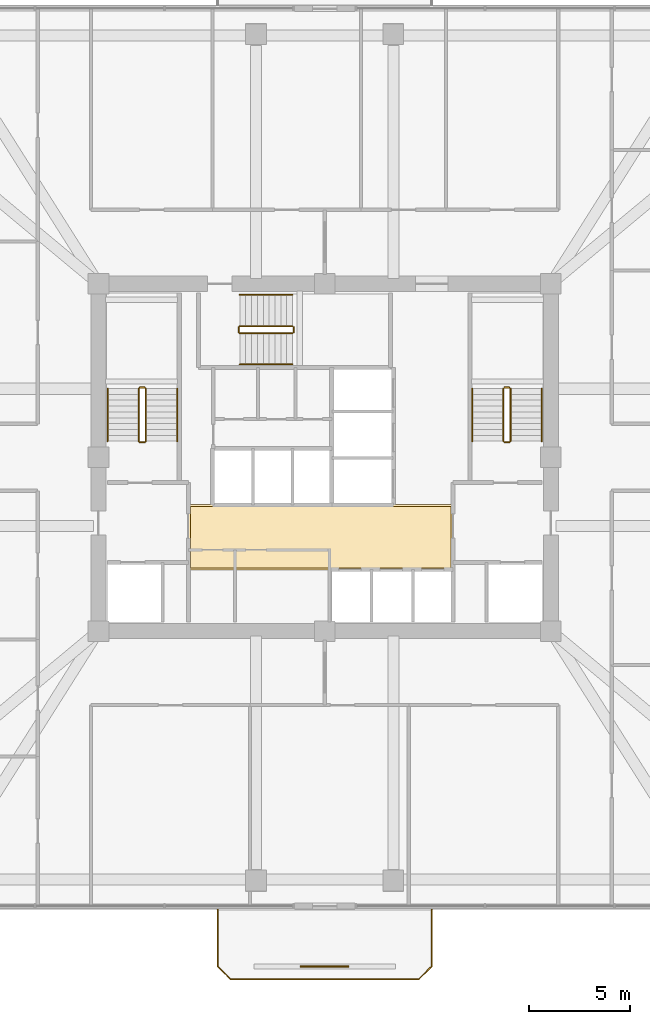
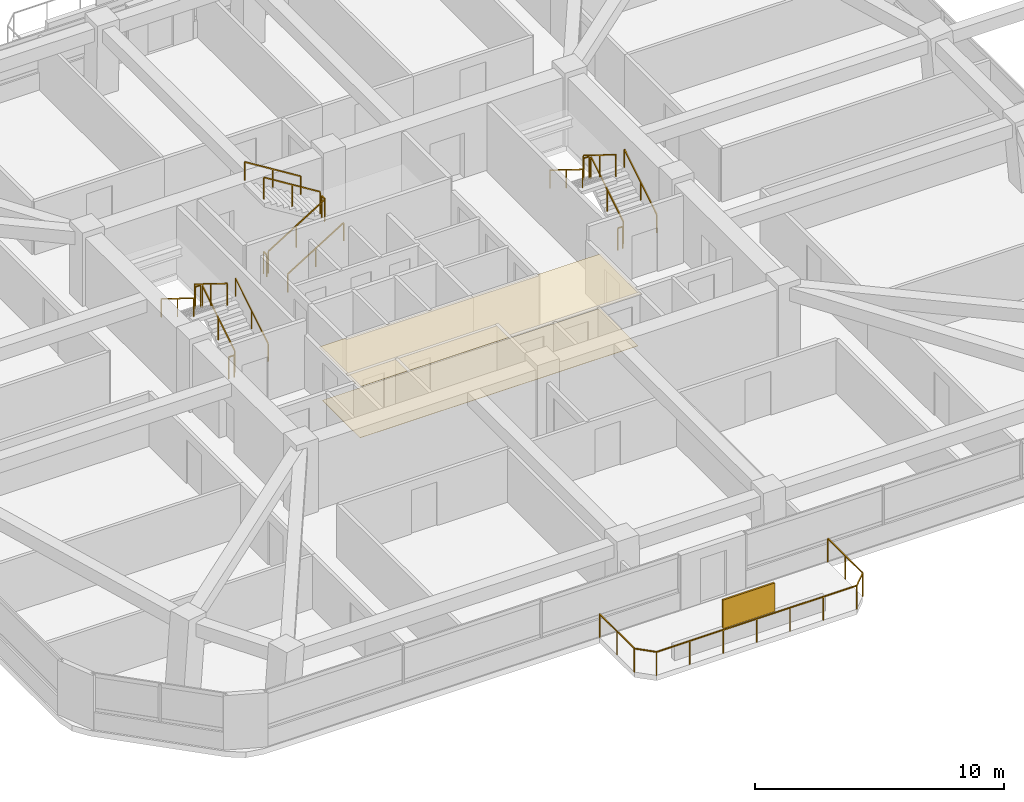
# One storey, part 12 of 13: 19 railings, 2 coverings, 1 shading device.
"""IFC4 building model written with IfcOpenShell, lengths in metres."""

from ifc_helpers import new_model, si_unit, derived_unit, direction, frame, origin, origin_2d, place, context, subcontext, project, spatial, polyline, rectangle, outline, extrude, material, layer, layer_set, type_object, element, save


model = new_model("IFC4")

# Units and contexts
model_context = context("Model", 3, precision=1e-05, world=origin(), true_north=direction((0.0, 1.0)))
body_context = subcontext(model_context, "Body", "Model", "MODEL_VIEW")
ifc_project = project(units=[si_unit("LENGTHUNIT", "METRE"), si_unit("AREAUNIT", "SQUARE_METRE"), si_unit("VOLUMEUNIT", "CUBIC_METRE"), si_unit("PLANEANGLEUNIT", "RADIAN"), si_unit("MASSUNIT", "GRAM", prefix="KILO"), derived_unit("THERMALTRANSMITTANCEUNIT", [(si_unit("POWERUNIT", "WATT"), 1), (si_unit("LENGTHUNIT", "METRE"), -2), (si_unit("THERMODYNAMICTEMPERATUREUNIT", "KELVIN"), -1)])], contexts=[model_context])

# Site, building, storey
site_placement = place(None, origin())
site = spatial("IfcSite", under=ifc_project, at=site_placement, CompositionType="ELEMENT")
building_placement = place(site_placement, origin())
building = spatial("IfcBuilding", under=site, at=building_placement, Name="Koralith Skygarden Medical Center", CompositionType="ELEMENT")
storey_placement = place(building_placement, frame((0.0, 0.0, 88.3798828125)))
storey = spatial("IfcBuildingStorey", under=building, at=storey_placement, Name="L22", CompositionType="ELEMENT", Elevation=88.3798828125)

# Covering
ifc_material_1 = material(Name="Acoustic Mineral Tile")
ifc_layer_1 = layer(ifc_material_1, 0.02001953125)
ifc_layer_set_1 = layer_set([ifc_layer_1], Name="Acoustic Mineral Tile")
covering_type_1 = type_object("IfcCoveringType", Name="Acoustic Hygienic Mineral Ceiling 20", PredefinedType="CEILING", material=ifc_layer_set_1)
covering_1_placement = place(storey_placement, frame((0.0, 0.0, 2.585205078125)))
element("IfcCovering", 1, at=covering_1_placement, inside=storey, type_object=covering_type_1, Name="L22 Core Lobby Acoustic Ceiling", PredefinedType="CEILING", context=body_context, shape_type="SweptSolid", body=[
    extrude(outline(polyline([(30.25, 20.320068359375), (43.35009765625, 20.320068359375), (43.35009765625, 23.56005859375), (30.25, 23.56005859375), (30.25, 20.320068359375)])), origin(), (0.0, 0.0, 1.0), 0.02001953125),
])

# Railing
ifc_material_2 = material(Name="Steel ASTM A500 Grade C", Category="steel")
railing_type_1 = type_object("IfcRailingType", Name="Outdoor Terrace & Balcony Safety Guardrail 1180", PredefinedType="GUARDRAIL", material=ifc_material_2)
railing_1_placement = place(storey_placement, frame((31.699951171875, 3.5, 0.0)))
element("IfcRailing", 2, at=railing_1_placement, inside=storey, type_object=railing_type_1, Name="L22 S Balcony Perimeter Guardrail", PredefinedType="GUARDRAIL", context=body_context, shape_type="SweptSolid", body=[
    extrude(rectangle(XDim=0.050048828125, YDim=0.050048828125, at=origin_2d()), frame((0.0, -0.001953125, 1.15478515625), z_axis=(0.0, -1.0, 0.0), x_axis=(1.0, 0.0, 0.0)), (0.0, 0.0, 1.0), 2.796142578125),
    extrude(rectangle(XDim=0.050048828125, YDim=0.050048828125, at=origin_2d()), frame((0.00146484375, -2.801513671875, 1.15478515625), z_axis=(0.707239558722, -0.706973978714, 0.0), x_axis=(0.706973978714, 0.707239558722, 0.0)), (0.0, 0.0, 1.0), 0.915283203125),
    extrude(rectangle(XDim=0.050048828125, YDim=0.050048828125, at=origin_2d()), frame((0.652099609375, -3.449951171875, 1.15478515625), z_axis=(1.0, 0.0, 0.0), x_axis=(0.0, 1.0, 0.0)), (0.0, 0.0, 1.0), 9.2958984375),
    extrude(rectangle(XDim=0.050048828125, YDim=0.050048828125, at=origin_2d()), frame((9.951416015625, -3.448486328125, 1.15478515625), z_axis=(0.707239558722, 0.706973978714, 0.0), x_axis=(-0.706973978714, 0.707239558722, 0.0)), (0.0, 0.0, 1.0), 0.915283203125),
    extrude(rectangle(XDim=0.050048828125, YDim=0.050048828125, at=origin_2d()), frame((10.60009765625, -2.798095703125, 1.15478515625), z_axis=(0.0, 1.0, 0.0), x_axis=(-1.0, 0.0, 0.0)), (0.0, 0.0, 1.0), 2.796142578125),
    extrude(rectangle(XDim=0.0419921875, YDim=0.0419921875, at=origin_2d()), origin(), (0.0, 0.0, 1.0), 1.1279296875),
    extrude(rectangle(XDim=0.0419921875, YDim=0.0419921875, at=origin_2d()), frame((0.0, -1.39990234375, 0.0)), (0.0, 0.0, 1.0), 1.1279296875),
    extrude(rectangle(XDim=0.0419921875, YDim=0.0419921875, at=origin_2d()), frame((0.0, -2.800048828125, 0.0)), (0.0, 0.0, 1.0), 1.1279296875),
    extrude(rectangle(XDim=0.0419921875, YDim=0.0419921875, at=origin_2d()), frame((0.650146484375, -3.449951171875, 0.0)), (0.0, 0.0, 1.0), 1.1279296875),
    extrude(rectangle(XDim=0.0419921875, YDim=0.0419921875, at=origin_2d()), frame((2.2001953125, -3.449951171875, 0.0)), (0.0, 0.0, 1.0), 1.1279296875),
    extrude(rectangle(XDim=0.0419921875, YDim=0.0419921875, at=origin_2d()), frame((3.75, -3.449951171875, 0.0)), (0.0, 0.0, 1.0), 1.1279296875),
    extrude(rectangle(XDim=0.0419921875, YDim=0.0419921875, at=origin_2d()), frame((5.300048828125, -3.449951171875, 0.0)), (0.0, 0.0, 1.0), 1.1279296875),
    extrude(rectangle(XDim=0.0419921875, YDim=0.0419921875, at=origin_2d()), frame((6.85009765625, -3.449951171875, 0.0)), (0.0, 0.0, 1.0), 1.1279296875),
    extrude(rectangle(XDim=0.0419921875, YDim=0.0419921875, at=origin_2d()), frame((8.39990234375, -3.449951171875, 0.0)), (0.0, 0.0, 1.0), 1.1279296875),
    extrude(rectangle(XDim=0.0419921875, YDim=0.0419921875, at=origin_2d()), frame((9.949951171875, -3.449951171875, 0.0)), (0.0, 0.0, 1.0), 1.1279296875),
    extrude(rectangle(XDim=0.0419921875, YDim=0.0419921875, at=origin_2d()), frame((10.60009765625, -2.800048828125, 0.0)), (0.0, 0.0, 1.0), 1.1279296875),
    extrude(rectangle(XDim=0.0419921875, YDim=0.0419921875, at=origin_2d()), frame((10.60009765625, -1.39990234375, 0.0)), (0.0, 0.0, 1.0), 1.1279296875),
    extrude(rectangle(XDim=0.0419921875, YDim=0.0419921875, at=origin_2d()), frame((10.60009765625, 0.0, 0.0)), (0.0, 0.0, 1.0), 1.1279296875),
])

# Shading device
ifc_material_3 = material(Name="Aluminium 6063-T6", Category="aluminium")
ifc_layer_2 = layer(ifc_material_3, 0.080078125)
ifc_layer_set_2 = layer_set([ifc_layer_2], Name="Aluminium 6063-T6")
shading_device_type = type_object("IfcShadingDeviceType", Name="Perforated Biophilic Balcony Trellis Screen", PredefinedType="USERDEFINED", material=ifc_layer_set_2)
shading_device_placement = place(storey_placement, frame((37.0, 0.699951171875, 0.72021484375), z_axis=(0.0, 0.0, 1.0), x_axis=(1.0, 0.0, 0.0)))
element("IfcShadingDevice", 3, at=shading_device_placement, inside=storey, type_object=shading_device_type, Name="L22 S Biophilic Balcony Trellis Screen", ObjectType="HURRICANE SCREEN", PredefinedType="USERDEFINED", context=body_context, shape_type="SweptSolid", body=[
    extrude(rectangle(XDim=2.39990234375, YDim=0.080078125, at=origin_2d()), origin(), (0.0, 0.0, 1.0), 1.39990234375),
])

# Covering
ifc_material_4 = material(Name="Medical Terrazzo Flooring")
ifc_layer_3 = layer(ifc_material_4, 0.014892578125)
ifc_layer_set_3 = layer_set([ifc_layer_3], Name="Medical Terrazzo Flooring")
covering_type_2 = type_object("IfcCoveringType", Name="Seamless Antimicrobial Terrazzo Flooring 15", PredefinedType="FLOORING", material=ifc_layer_set_3)
covering_2_placement = place(storey_placement, origin())
element("IfcCovering", 4, at=covering_2_placement, inside=storey, type_object=covering_type_2, Name="L22 Core Lobby Terrazzo Flooring", PredefinedType="FLOORING", context=body_context, shape_type="SweptSolid", body=[
    extrude(outline(polyline([(30.35009765625, 20.419921875), (43.25, 20.419921875), (43.25, 23.4599609375), (30.35009765625, 23.4599609375), (30.35009765625, 20.419921875)])), origin(), (0.0, 0.0, 1.0), 0.01513671875),
])

# Railings
railing_type_2 = type_object("IfcRailingType", Name="Stair Flight Tubular Handrail 920", PredefinedType="HANDRAIL", material=ifc_material_2)
railing_2_placement = place(storey_placement, frame((29.699951171875, 26.699951171875, 0.18017578125)))
element("IfcRailing", 5, at=railing_2_placement, inside=storey, type_object=railing_type_2, Name="L22 ST1 stair handrail 1", PredefinedType="HANDRAIL", context=body_context, shape_type="SweptSolid", body=[
    extrude(rectangle(XDim=0.050048828125, YDim=0.050048828125, at=origin_2d()), frame((0.0, 0.001708984375, 0.89599609375), z_axis=(0.0, 0.849668407637, 0.527317358963), x_axis=(-1.0, 0.0, 0.0)), (0.0, 0.0, 1.0), 3.06787109375),
    extrude(rectangle(XDim=0.0419921875, YDim=0.0419921875, at=origin_2d()), origin(), (0.0, 0.0, 1.0), 0.867919921875),
    extrude(rectangle(XDim=0.0419921875, YDim=0.0419921875, at=origin_2d()), frame((0.0, 1.30517578125, 0.81005859375)), (0.0, 0.0, 1.0), 0.867919921875),
    extrude(rectangle(XDim=0.0419921875, YDim=0.0419921875, at=origin_2d()), frame((0.0, 2.610107421875, 1.619873046875)), (0.0, 0.0, 1.0), 0.867919921875),
])
railing_3_placement = place(storey_placement, frame((26.25, 29.31005859375, 1.980224609375)))
element("IfcRailing", 6, at=railing_3_placement, inside=storey, type_object=railing_type_2, Name="L22 ST1 stair handrail 2", PredefinedType="HANDRAIL", context=body_context, shape_type="SweptSolid", body=[
    extrude(rectangle(XDim=0.050048828125, YDim=0.050048828125, at=origin_2d()), frame((0.0, -0.001708984375, 0.89599609375), z_axis=(0.0, -0.849668407637, 0.527317358963), x_axis=(1.0, 0.0, 0.0)), (0.0, 0.0, 1.0), 3.06787109375),
    extrude(rectangle(XDim=0.0419921875, YDim=0.0419921875, at=origin_2d()), origin(), (0.0, 0.0, 1.0), 0.867919921875),
    extrude(rectangle(XDim=0.0419921875, YDim=0.0419921875, at=origin_2d()), frame((0.0, -1.30517578125, 0.81005859375)), (0.0, 0.0, 1.0), 0.867919921875),
    extrude(rectangle(XDim=0.0419921875, YDim=0.0419921875, at=origin_2d()), frame((0.0, -2.610107421875, 1.619873046875)), (0.0, 0.0, 1.0), 0.867919921875),
])
railing_4_placement = place(storey_placement, frame((47.75, 26.699951171875, 0.18017578125)))
element("IfcRailing", 7, at=railing_4_placement, inside=storey, type_object=railing_type_2, Name="L22 ST2 stair handrail 1", PredefinedType="HANDRAIL", context=body_context, shape_type="SweptSolid", body=[
    extrude(rectangle(XDim=0.050048828125, YDim=0.050048828125, at=origin_2d()), frame((0.0, 0.001708984375, 0.89599609375), z_axis=(0.0, 0.849668407637, 0.527317358963), x_axis=(-1.0, 0.0, 0.0)), (0.0, 0.0, 1.0), 3.06787109375),
    extrude(rectangle(XDim=0.0419921875, YDim=0.0419921875, at=origin_2d()), origin(), (0.0, 0.0, 1.0), 0.867919921875),
    extrude(rectangle(XDim=0.0419921875, YDim=0.0419921875, at=origin_2d()), frame((0.0, 1.30517578125, 0.81005859375)), (0.0, 0.0, 1.0), 0.867919921875),
    extrude(rectangle(XDim=0.0419921875, YDim=0.0419921875, at=origin_2d()), frame((0.0, 2.610107421875, 1.619873046875)), (0.0, 0.0, 1.0), 0.867919921875),
])
railing_5_placement = place(storey_placement, frame((44.300048828125, 29.31005859375, 1.980224609375)))
element("IfcRailing", 8, at=railing_5_placement, inside=storey, type_object=railing_type_2, Name="L22 ST2 stair handrail 2", PredefinedType="HANDRAIL", context=body_context, shape_type="SweptSolid", body=[
    extrude(rectangle(XDim=0.050048828125, YDim=0.050048828125, at=origin_2d()), frame((0.0, -0.001708984375, 0.89599609375), z_axis=(0.0, -0.849668407637, 0.527317358963), x_axis=(1.0, 0.0, 0.0)), (0.0, 0.0, 1.0), 3.06787109375),
    extrude(rectangle(XDim=0.0419921875, YDim=0.0419921875, at=origin_2d()), origin(), (0.0, 0.0, 1.0), 0.867919921875),
    extrude(rectangle(XDim=0.0419921875, YDim=0.0419921875, at=origin_2d()), frame((0.0, -1.30517578125, 0.81005859375)), (0.0, 0.0, 1.0), 0.867919921875),
    extrude(rectangle(XDim=0.0419921875, YDim=0.0419921875, at=origin_2d()), frame((0.0, -2.610107421875, 1.619873046875)), (0.0, 0.0, 1.0), 0.867919921875),
])
railing_6_placement = place(storey_placement, frame((32.800048828125, 30.5, 0.18017578125)))
element("IfcRailing", 9, at=railing_6_placement, inside=storey, type_object=railing_type_2, Name="L22 ST3 stair handrail 1", PredefinedType="HANDRAIL", context=body_context, shape_type="SweptSolid", body=[
    extrude(rectangle(XDim=0.050048828125, YDim=0.050048828125, at=origin_2d()), frame((0.001708984375, 0.0, 0.89599609375), z_axis=(0.849646306263, 0.0, 0.527352969322), x_axis=(0.0, 1.0, 0.0)), (0.0, 0.0, 1.0), 3.067626953125),
    extrude(rectangle(XDim=0.0419921875, YDim=0.0419921875, at=origin_2d()), origin(), (0.0, 0.0, 1.0), 0.867919921875),
    extrude(rectangle(XDim=0.0419921875, YDim=0.0419921875, at=origin_2d()), frame((1.304931640625, 0.0, 0.81005859375)), (0.0, 0.0, 1.0), 0.867919921875),
    extrude(rectangle(XDim=0.0419921875, YDim=0.0419921875, at=origin_2d()), frame((2.60986328125, 0.0, 1.619873046875)), (0.0, 0.0, 1.0), 0.867919921875),
])
railing_7_placement = place(storey_placement, frame((35.409912109375, 33.949951171875, 1.980224609375)))
element("IfcRailing", 10, at=railing_7_placement, inside=storey, type_object=railing_type_2, Name="L22 ST3 stair handrail 2", PredefinedType="HANDRAIL", context=body_context, shape_type="SweptSolid", body=[
    extrude(rectangle(XDim=0.050048828125, YDim=0.050048828125, at=origin_2d()), frame((-0.001708984375, 0.0, 0.89599609375), z_axis=(-0.849646306263, 0.0, 0.527352969322), x_axis=(0.0, -1.0, 0.0)), (0.0, 0.0, 1.0), 3.067626953125),
    extrude(rectangle(XDim=0.0419921875, YDim=0.0419921875, at=origin_2d()), origin(), (0.0, 0.0, 1.0), 0.867919921875),
    extrude(rectangle(XDim=0.0419921875, YDim=0.0419921875, at=origin_2d()), frame((-1.304931640625, 0.0, 0.81005859375)), (0.0, 0.0, 1.0), 0.867919921875),
    extrude(rectangle(XDim=0.0419921875, YDim=0.0419921875, at=origin_2d()), frame((-2.60986328125, 0.0, 1.619873046875)), (0.0, 0.0, 1.0), 0.867919921875),
])
railing_type_3 = type_object("IfcRailingType", Name="Stair Well Safety Guardrail 1100", PredefinedType="GUARDRAIL", material=ifc_material_2)
railing_8_placement = place(storey_placement, frame((28.14990234375, 26.699951171875, 0.18017578125)))
element("IfcRailing", 11, at=railing_8_placement, inside=storey, type_object=railing_type_3, Name="L22 ST1 stair guard 1", PredefinedType="GUARDRAIL", context=body_context, shape_type="SweptSolid", body=[
    extrude(rectangle(XDim=0.050048828125, YDim=0.050048828125, at=origin_2d()), frame((0.0, 0.001708984375, 1.076171875), z_axis=(0.0, 0.849668407637, 0.527317358963), x_axis=(-1.0, 0.0, 0.0)), (0.0, 0.0, 1.0), 3.06787109375),
    extrude(rectangle(XDim=0.0419921875, YDim=0.0419921875, at=origin_2d()), origin(), (0.0, 0.0, 1.0), 1.048095703125),
    extrude(rectangle(XDim=0.0419921875, YDim=0.0419921875, at=origin_2d()), frame((0.0, 1.30517578125, 0.81005859375)), (0.0, 0.0, 1.0), 1.048095703125),
    extrude(rectangle(XDim=0.0419921875, YDim=0.0419921875, at=origin_2d()), frame((0.0, 2.610107421875, 1.619873046875)), (0.0, 0.0, 1.0), 1.048095703125),
])
railing_9_placement = place(storey_placement, frame((28.10009765625, 29.360107421875, 1.800048828125)))
element("IfcRailing", 12, at=railing_9_placement, inside=storey, type_object=railing_type_3, Name="L22 ST1 stair guard 2", PredefinedType="GUARDRAIL", context=body_context, shape_type="SweptSolid", body=[
    extrude(rectangle(XDim=0.050048828125, YDim=0.050048828125, at=origin_2d()), frame((-0.001953125, 0.0, 1.0751953125), z_axis=(-1.0, 0.0, 0.0), x_axis=(0.0, -1.0, 0.0)), (0.0, 0.0, 1.0), 0.24609375),
    extrude(rectangle(XDim=0.0419921875, YDim=0.0419921875, at=origin_2d()), origin(), (0.0, 0.0, 1.0), 1.048095703125),
    extrude(rectangle(XDim=0.0419921875, YDim=0.0419921875, at=origin_2d()), frame((-0.25, 0.0, 0.0)), (0.0, 0.0, 1.0), 1.048095703125),
])
railing_10_placement = place(storey_placement, frame((27.800048828125, 29.31005859375, 1.980224609375)))
element("IfcRailing", 13, at=railing_10_placement, inside=storey, type_object=railing_type_3, Name="L22 ST1 stair guard 3", PredefinedType="GUARDRAIL", context=body_context, shape_type="SweptSolid", body=[
    extrude(rectangle(XDim=0.050048828125, YDim=0.050048828125, at=origin_2d()), frame((0.0, -0.001708984375, 1.076171875), z_axis=(0.0, -0.849668407637, 0.527317358963), x_axis=(1.0, 0.0, 0.0)), (0.0, 0.0, 1.0), 3.06787109375),
    extrude(rectangle(XDim=0.0419921875, YDim=0.0419921875, at=origin_2d()), origin(), (0.0, 0.0, 1.0), 1.048095703125),
    extrude(rectangle(XDim=0.0419921875, YDim=0.0419921875, at=origin_2d()), frame((0.0, -1.30517578125, 0.81005859375)), (0.0, 0.0, 1.0), 1.048095703125),
    extrude(rectangle(XDim=0.0419921875, YDim=0.0419921875, at=origin_2d()), frame((0.0, -2.610107421875, 1.619873046875)), (0.0, 0.0, 1.0), 1.048095703125),
])
railing_11_placement = place(storey_placement, frame((28.10009765625, 26.64990234375, 0.0)))
element("IfcRailing", 14, at=railing_11_placement, inside=storey, type_object=railing_type_3, Name="L22 ST1 stair guard 4", PredefinedType="GUARDRAIL", context=body_context, shape_type="SweptSolid", body=[
    extrude(rectangle(XDim=0.050048828125, YDim=0.050048828125, at=origin_2d()), frame((-0.001953125, 0.0, 1.0751953125), z_axis=(-1.0, 0.0, 0.0), x_axis=(0.0, -1.0, 0.0)), (0.0, 0.0, 1.0), 0.24609375),
    extrude(rectangle(XDim=0.0419921875, YDim=0.0419921875, at=origin_2d()), origin(), (0.0, 0.0, 1.0), 1.048095703125),
    extrude(rectangle(XDim=0.0419921875, YDim=0.0419921875, at=origin_2d()), frame((-0.25, 0.0, 0.0)), (0.0, 0.0, 1.0), 1.048095703125),
])
railing_12_placement = place(storey_placement, frame((46.199951171875, 26.699951171875, 0.18017578125)))
element("IfcRailing", 15, at=railing_12_placement, inside=storey, type_object=railing_type_3, Name="L22 ST2 stair guard 1", PredefinedType="GUARDRAIL", context=body_context, shape_type="SweptSolid", body=[
    extrude(rectangle(XDim=0.050048828125, YDim=0.050048828125, at=origin_2d()), frame((0.0, 0.001708984375, 1.076171875), z_axis=(0.0, 0.849668407637, 0.527317358963), x_axis=(-1.0, 0.0, 0.0)), (0.0, 0.0, 1.0), 3.06787109375),
    extrude(rectangle(XDim=0.0419921875, YDim=0.0419921875, at=origin_2d()), origin(), (0.0, 0.0, 1.0), 1.048095703125),
    extrude(rectangle(XDim=0.0419921875, YDim=0.0419921875, at=origin_2d()), frame((0.0, 1.30517578125, 0.81005859375)), (0.0, 0.0, 1.0), 1.048095703125),
    extrude(rectangle(XDim=0.0419921875, YDim=0.0419921875, at=origin_2d()), frame((0.0, 2.610107421875, 1.619873046875)), (0.0, 0.0, 1.0), 1.048095703125),
])
railing_13_placement = place(storey_placement, frame((46.14990234375, 29.360107421875, 1.800048828125)))
element("IfcRailing", 16, at=railing_13_placement, inside=storey, type_object=railing_type_3, Name="L22 ST2 stair guard 2", PredefinedType="GUARDRAIL", context=body_context, shape_type="SweptSolid", body=[
    extrude(rectangle(XDim=0.050048828125, YDim=0.050048828125, at=origin_2d()), frame((-0.001953125, 0.0, 1.0751953125), z_axis=(-1.0, 0.0, 0.0), x_axis=(0.0, -1.0, 0.0)), (0.0, 0.0, 1.0), 0.24609375),
    extrude(rectangle(XDim=0.0419921875, YDim=0.0419921875, at=origin_2d()), origin(), (0.0, 0.0, 1.0), 1.048095703125),
    extrude(rectangle(XDim=0.0419921875, YDim=0.0419921875, at=origin_2d()), frame((-0.25, 0.0, 0.0)), (0.0, 0.0, 1.0), 1.048095703125),
])
railing_14_placement = place(storey_placement, frame((45.85009765625, 29.31005859375, 1.980224609375)))
element("IfcRailing", 17, at=railing_14_placement, inside=storey, type_object=railing_type_3, Name="L22 ST2 stair guard 3", PredefinedType="GUARDRAIL", context=body_context, shape_type="SweptSolid", body=[
    extrude(rectangle(XDim=0.050048828125, YDim=0.050048828125, at=origin_2d()), frame((0.0, -0.001708984375, 1.076171875), z_axis=(0.0, -0.849668407637, 0.527317358963), x_axis=(1.0, 0.0, 0.0)), (0.0, 0.0, 1.0), 3.06787109375),
    extrude(rectangle(XDim=0.0419921875, YDim=0.0419921875, at=origin_2d()), origin(), (0.0, 0.0, 1.0), 1.048095703125),
    extrude(rectangle(XDim=0.0419921875, YDim=0.0419921875, at=origin_2d()), frame((0.0, -1.30517578125, 0.81005859375)), (0.0, 0.0, 1.0), 1.048095703125),
    extrude(rectangle(XDim=0.0419921875, YDim=0.0419921875, at=origin_2d()), frame((0.0, -2.610107421875, 1.619873046875)), (0.0, 0.0, 1.0), 1.048095703125),
])
railing_15_placement = place(storey_placement, frame((46.14990234375, 26.64990234375, 0.0)))
element("IfcRailing", 18, at=railing_15_placement, inside=storey, type_object=railing_type_3, Name="L22 ST2 stair guard 4", PredefinedType="GUARDRAIL", context=body_context, shape_type="SweptSolid", body=[
    extrude(rectangle(XDim=0.050048828125, YDim=0.050048828125, at=origin_2d()), frame((-0.001953125, 0.0, 1.0751953125), z_axis=(-1.0, 0.0, 0.0), x_axis=(0.0, -1.0, 0.0)), (0.0, 0.0, 1.0), 0.24609375),
    extrude(rectangle(XDim=0.0419921875, YDim=0.0419921875, at=origin_2d()), origin(), (0.0, 0.0, 1.0), 1.048095703125),
    extrude(rectangle(XDim=0.0419921875, YDim=0.0419921875, at=origin_2d()), frame((-0.25, 0.0, 0.0)), (0.0, 0.0, 1.0), 1.048095703125),
])
railing_16_placement = place(storey_placement, frame((32.800048828125, 32.050048828125, 0.18017578125)))
element("IfcRailing", 19, at=railing_16_placement, inside=storey, type_object=railing_type_3, Name="L22 ST3 stair guard 1", PredefinedType="GUARDRAIL", context=body_context, shape_type="SweptSolid", body=[
    extrude(rectangle(XDim=0.050048828125, YDim=0.050048828125, at=origin_2d()), frame((0.001708984375, 0.0, 1.076171875), z_axis=(0.849646306263, 0.0, 0.527352969322), x_axis=(0.0, 1.0, 0.0)), (0.0, 0.0, 1.0), 3.067626953125),
    extrude(rectangle(XDim=0.0419921875, YDim=0.0419921875, at=origin_2d()), origin(), (0.0, 0.0, 1.0), 1.048095703125),
    extrude(rectangle(XDim=0.0419921875, YDim=0.0419921875, at=origin_2d()), frame((1.304931640625, 0.0, 0.81005859375)), (0.0, 0.0, 1.0), 1.048095703125),
    extrude(rectangle(XDim=0.0419921875, YDim=0.0419921875, at=origin_2d()), frame((2.60986328125, 0.0, 1.619873046875)), (0.0, 0.0, 1.0), 1.048095703125),
])
railing_17_placement = place(storey_placement, frame((35.4599609375, 32.10009765625, 1.800048828125)))
element("IfcRailing", 20, at=railing_17_placement, inside=storey, type_object=railing_type_3, Name="L22 ST3 stair guard 2", PredefinedType="GUARDRAIL", context=body_context, shape_type="SweptSolid", body=[
    extrude(rectangle(XDim=0.050048828125, YDim=0.050048828125, at=origin_2d()), frame((0.0, 0.001953125, 1.0751953125), z_axis=(0.0, 1.0, 0.0), x_axis=(-1.0, 0.0, 0.0)), (0.0, 0.0, 1.0), 0.24609375),
    extrude(rectangle(XDim=0.0419921875, YDim=0.0419921875, at=origin_2d()), origin(), (0.0, 0.0, 1.0), 1.048095703125),
    extrude(rectangle(XDim=0.0419921875, YDim=0.0419921875, at=origin_2d()), frame((0.0, 0.25, 0.0)), (0.0, 0.0, 1.0), 1.048095703125),
])
railing_18_placement = place(storey_placement, frame((35.409912109375, 32.39990234375, 1.980224609375)))
element("IfcRailing", 21, at=railing_18_placement, inside=storey, type_object=railing_type_3, Name="L22 ST3 stair guard 3", PredefinedType="GUARDRAIL", context=body_context, shape_type="SweptSolid", body=[
    extrude(rectangle(XDim=0.050048828125, YDim=0.050048828125, at=origin_2d()), frame((-0.001708984375, 0.0, 1.076171875), z_axis=(-0.849646306263, 0.0, 0.527352969322), x_axis=(0.0, -1.0, 0.0)), (0.0, 0.0, 1.0), 3.067626953125),
    extrude(rectangle(XDim=0.0419921875, YDim=0.0419921875, at=origin_2d()), origin(), (0.0, 0.0, 1.0), 1.048095703125),
    extrude(rectangle(XDim=0.0419921875, YDim=0.0419921875, at=origin_2d()), frame((-1.304931640625, 0.0, 0.81005859375)), (0.0, 0.0, 1.0), 1.048095703125),
    extrude(rectangle(XDim=0.0419921875, YDim=0.0419921875, at=origin_2d()), frame((-2.60986328125, 0.0, 1.619873046875)), (0.0, 0.0, 1.0), 1.048095703125),
])
railing_19_placement = place(storey_placement, frame((32.75, 32.10009765625, 0.0)))
element("IfcRailing", 22, at=railing_19_placement, inside=storey, type_object=railing_type_3, Name="L22 ST3 stair guard 4", PredefinedType="GUARDRAIL", context=body_context, shape_type="SweptSolid", body=[
    extrude(rectangle(XDim=0.050048828125, YDim=0.050048828125, at=origin_2d()), frame((0.0, 0.001953125, 1.0751953125), z_axis=(0.0, 1.0, 0.0), x_axis=(-1.0, 0.0, 0.0)), (0.0, 0.0, 1.0), 0.24609375),
    extrude(rectangle(XDim=0.0419921875, YDim=0.0419921875, at=origin_2d()), origin(), (0.0, 0.0, 1.0), 1.048095703125),
    extrude(rectangle(XDim=0.0419921875, YDim=0.0419921875, at=origin_2d()), frame((0.0, 0.25, 0.0)), (0.0, 0.0, 1.0), 1.048095703125),
])

save(model, "model.ifc")
